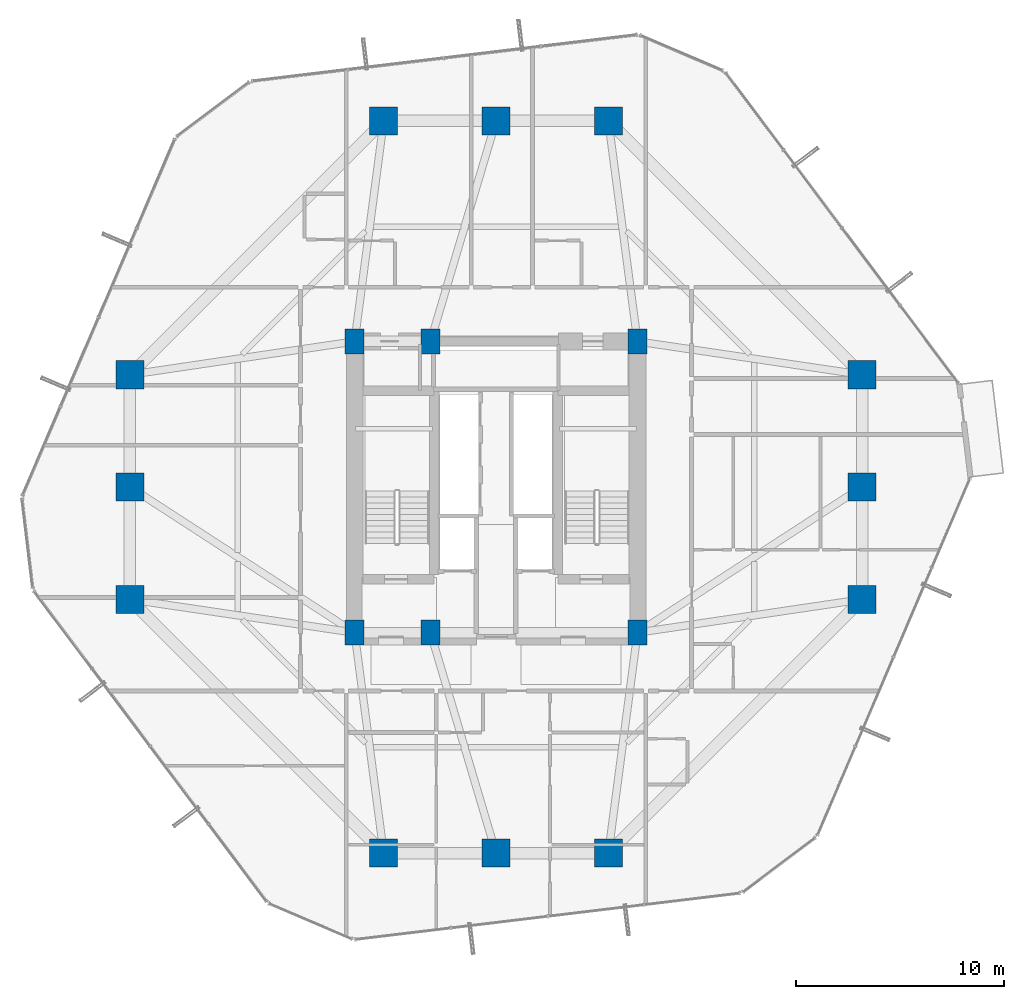
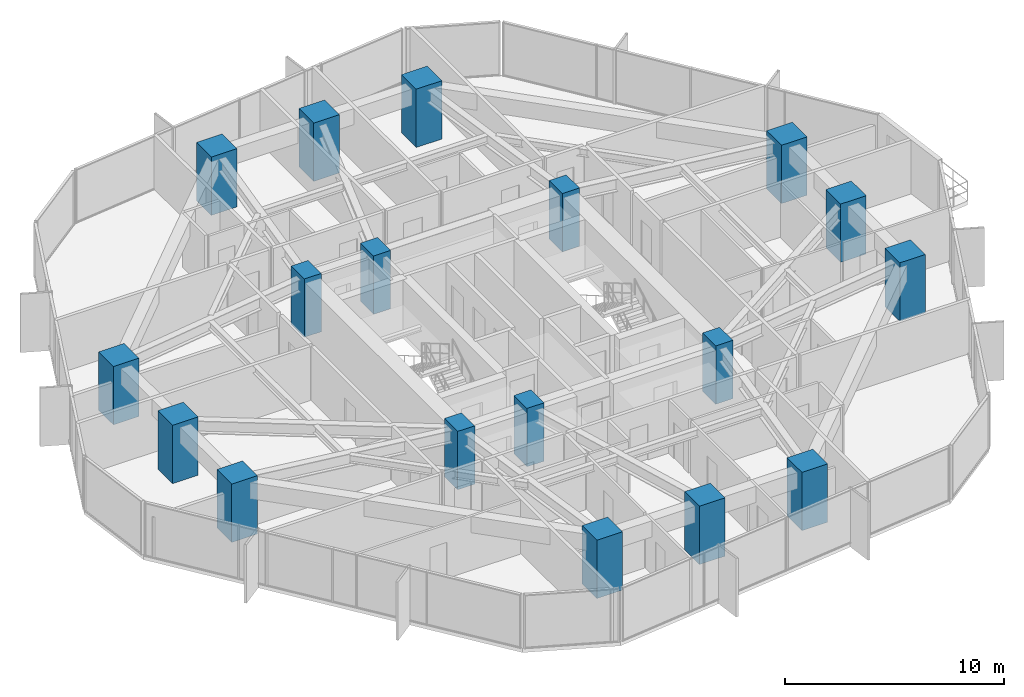
# One storey, part 1 of 37: 18 columns.
"""IFC4 building model written with IfcOpenShell, lengths in metres."""

from ifc_helpers import new_model, si_unit, direction, frame, origin, origin_2d, place, context, subcontext, project, spatial, rectangle, extrude, material, material_profile, profile_set, type_object, element, save


model = new_model("IFC4")

# Units and contexts
model_context = context("Model", 3, precision=1e-05, world=origin(), true_north=direction((0.0, 1.0)))
body_context = subcontext(model_context, "Body", "Model", "MODEL_VIEW")
ifc_project = project(units=[si_unit("LENGTHUNIT", "METRE"), si_unit("AREAUNIT", "SQUARE_METRE"), si_unit("VOLUMEUNIT", "CUBIC_METRE"), si_unit("PLANEANGLEUNIT", "RADIAN"), si_unit("MASSUNIT", "GRAM", prefix="KILO")], contexts=[model_context])

# Site, building, storey
site_placement = place(None, origin())
site = spatial("IfcSite", under=ifc_project, at=site_placement, CompositionType="ELEMENT")
building_placement = place(site_placement, origin())
building = spatial("IfcBuilding", under=site, at=building_placement, Name="Veraguas Prism Commons", CompositionType="ELEMENT")
storey_placement = place(building_placement, frame((0.0, 0.0, 46.800048828125)))
storey = spatial("IfcBuildingStorey", under=building, at=storey_placement, Name="L12", CompositionType="ELEMENT", Elevation=46.800048828125)

# Columns
ifc_material = material(Name="Concrete C60/75", Category="concrete")
ifc_material_profile_1 = material_profile(ifc_material, rectangle(XDim=1.35009765625, YDim=1.35009765625, at=origin_2d()), Name="RC1350X1350")
ifc_profile_set_1 = profile_set([ifc_material_profile_1], Name="Concrete C60/75")
column_type_1 = type_object("IfcColumnType", Name="Column Tube Z1 RC 1350x1350", PredefinedType="COLUMN", material=ifc_profile_set_1)
for number, where, z_axis, x_axis, name in (
    (1, (41.60009765625, 18.60009765625, 0.0), (0.0, 0.0, 1.0), (1.0, 0.0, 0.0), "Tower Perimeter Column L12-TB01"),
    (2, (41.60009765625, 24.0, 0.0), (0.0, 0.0, 1.0), (1.0, 0.0, 0.0), "Tower Perimeter Column L12-TB02"),
    (3, (41.60009765625, 29.39990234375, 0.0), (0.0, 0.0, 1.0), (1.0, 0.0, 0.0), "Tower Perimeter Column L12-TB03"),
    (4, (29.39990234375, 41.60009765625, 0.0), (0.0, 0.0, 1.0), (1.0, 0.0, 0.0), "Tower Perimeter Column L12-TB04"),
    (5, (24.0, 41.60009765625, 0.0), (0.0, 0.0, 1.0), (1.0, 0.0, 0.0), "Tower Perimeter Column L12-TB05"),
    (6, (18.60009765625, 41.60009765625, 0.0), (0.0, 0.0, 1.0), (1.0, 0.0, 0.0), "Tower Perimeter Column L12-TB06"),
    (7, (6.39990234375, 29.39990234375, 0.0), (0.0, 0.0, 1.0), (1.0, 0.0, 0.0), "Tower Perimeter Column L12-TB07"),
    (8, (6.39990234375, 24.0, 0.0), (0.0, 0.0, 1.0), (1.0, 0.0, 0.0), "Tower Perimeter Column L12-TB08"),
    (9, (6.39990234375, 18.60009765625, 0.0), (0.0, 0.0, 1.0), (1.0, 0.0, 0.0), "Tower Perimeter Column L12-TB09"),
    (10, (18.60009765625, 6.39990234375, 0.0), (0.0, 0.0, 1.0), (1.0, 0.0, 0.0), "Tower Perimeter Column L12-TB10"),
    (11, (24.0, 6.39990234375, 0.0), (0.0, 0.0, 1.0), (1.0, 0.0, 0.0), "Tower Perimeter Column L12-TB11"),
    (12, (29.39990234375, 6.39990234375, 0.0), (0.0, 0.0, 1.0), (1.0, 0.0, 0.0), "Tower Perimeter Column L12-TB12"),
):
    element("IfcColumn", number, at=place(storey_placement, frame(where, z_axis=z_axis, x_axis=x_axis)), inside=storey, type_object=column_type_1, Name=name, PredefinedType="COLUMN", context=body_context, shape_type="SweptSolid", body=[
        extrude(rectangle(XDim=1.35009765625, YDim=1.35009765625, at=origin_2d()), origin(), (0.0, 0.0, 1.0), 3.25),
    ])
ifc_material_profile_2 = material_profile(ifc_material, rectangle(XDim=0.89990234375, YDim=1.199951171875, at=origin_2d()), Name="RC900X1200")
ifc_profile_set_2 = profile_set([ifc_material_profile_2], Name="Concrete C60/75")
column_type_2 = type_object("IfcColumnType", Name="Pilaster Core Lower RC 900x1200", PredefinedType="PILASTER", material=ifc_profile_set_2)
for number, where, z_axis, x_axis, name in (
    (13, (17.199951171875, 17.0, 0.0), (0.0, 0.0, 1.0), (1.0, 0.0, 0.0), "Core Pilaster Column L12-CR1"),
    (14, (20.85009765625, 17.0, 0.0), (0.0, 0.0, 1.0), (1.0, 0.0, 0.0), "Core Pilaster Column L12-CR2"),
    (15, (30.800048828125, 17.0, 0.0), (0.0, 0.0, 1.0), (1.0, 0.0, 0.0), "Core Pilaster Column L12-CR3"),
    (16, (17.199951171875, 31.0, 0.0), (0.0, 0.0, 1.0), (1.0, 0.0, 0.0), "Core Pilaster Column L12-CR4"),
    (17, (20.85009765625, 31.0, 0.0), (0.0, 0.0, 1.0), (1.0, 0.0, 0.0), "Core Pilaster Column L12-CR5"),
    (18, (30.800048828125, 31.0, 0.0), (0.0, 0.0, 1.0), (1.0, 0.0, 0.0), "Core Pilaster Column L12-CR6"),
):
    element("IfcColumn", number, at=place(storey_placement, frame(where, z_axis=z_axis, x_axis=x_axis)), inside=storey, type_object=column_type_2, Name=name, PredefinedType="PILASTER", context=body_context, shape_type="SweptSolid", body=[
        extrude(rectangle(XDim=0.89990234375, YDim=1.199951171875, at=origin_2d()), origin(), (0.0, 0.0, 1.0), 3.25),
    ])

save(model, "model.ifc")
